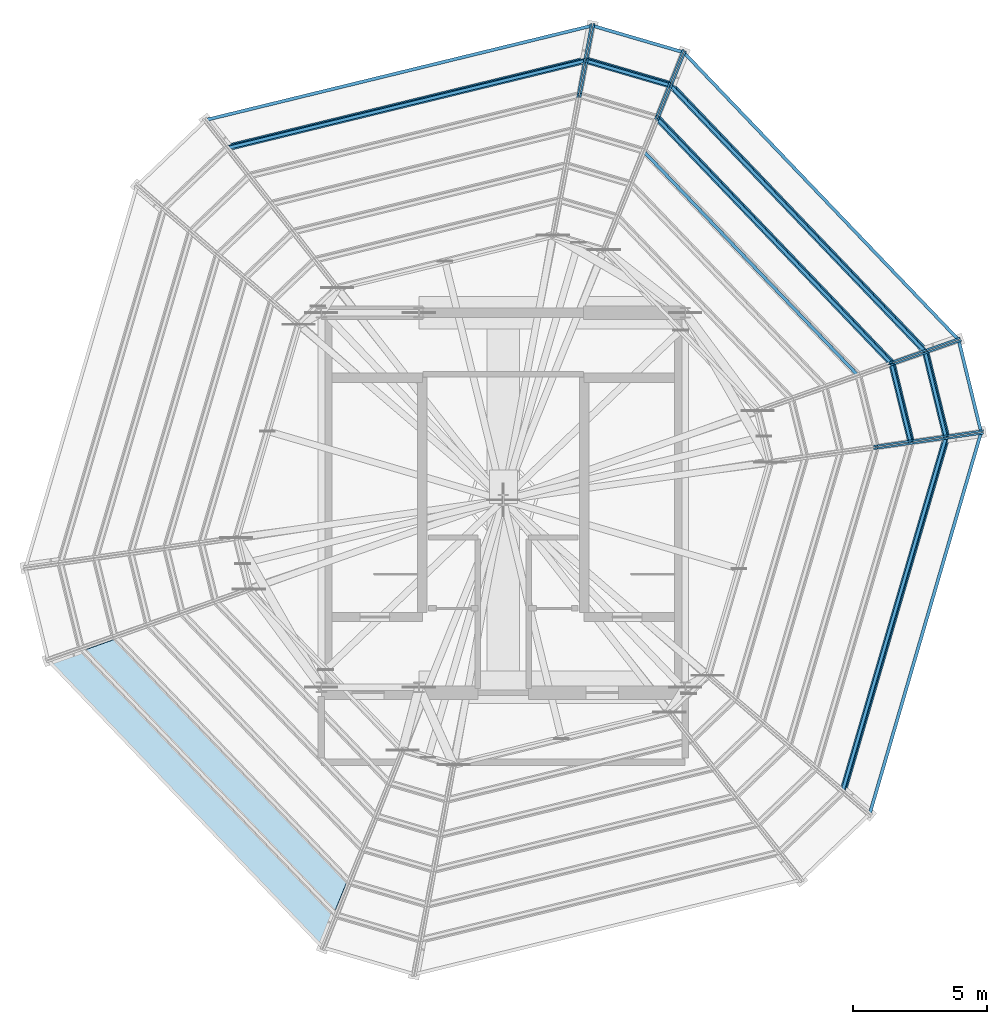
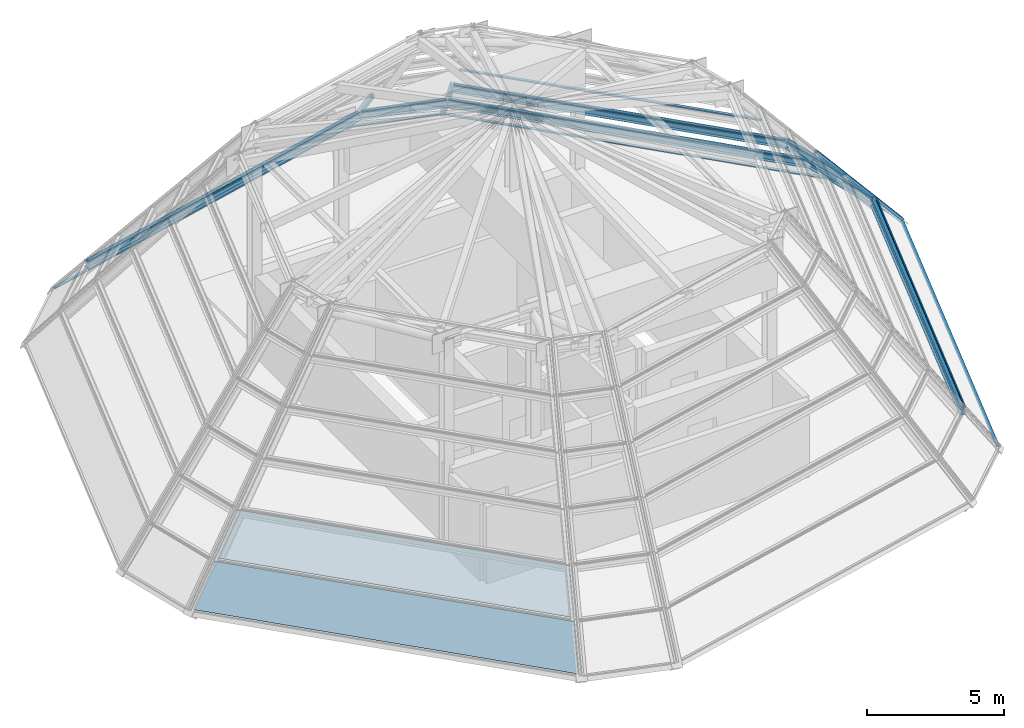
# One storey, part 9 of 13: 38 members, 7 beams, 2 plates, 16 elements without a shape of their own.
"""IFC4 building model written with IfcOpenShell, lengths in metres."""

from ifc_helpers import new_model, si_unit, direction, frame, origin, origin_2d, place, context, subcontext, project, spatial, polyline, hollow_rectangle, i_section, outline, extrude, source, transform, mapped, material, layer, layer_set, material_profile, profile_set, type_object, element, aggregate, save


model = new_model("IFC4")

# Units and contexts
model_context = context("Model", 3, precision=1e-05, world=origin(), true_north=direction((0.0, 1.0)))
body_context = subcontext(model_context, "Body", "Model", "MODEL_VIEW")
ifc_project = project(units=[si_unit("LENGTHUNIT", "METRE"), si_unit("AREAUNIT", "SQUARE_METRE"), si_unit("VOLUMEUNIT", "CUBIC_METRE"), si_unit("PLANEANGLEUNIT", "RADIAN"), si_unit("MASSUNIT", "GRAM", prefix="KILO")], contexts=[model_context])

# Site, building, storey
site_placement = place(None, origin())
site = spatial("IfcSite", under=ifc_project, at=site_placement, CompositionType="ELEMENT")
building_placement = place(site_placement, origin())
building = spatial("IfcBuilding", under=site, at=building_placement, Name="Veraguas Prism Commons", CompositionType="ELEMENT")
storey_placement = place(building_placement, frame((0.0, 0.0, 268.89990234375)))
storey = spatial("IfcBuildingStorey", under=building, at=storey_placement, Name="RF", CompositionType="ELEMENT", Elevation=268.89990234375)

# Beams
ifc_material_1 = material(Name="Steel ASTM A992 Grade 50", Category="steel")
ifc_material_profile_1 = material_profile(ifc_material_1, i_section(OverallWidth=0.25390625, OverallDepth=0.305908203125, WebThickness=0.0087890625, FlangeThickness=0.0146484375, at=origin_2d()), Name="W310X79")
ifc_profile_set_1 = profile_set([ifc_material_profile_1], Name="Steel ASTM A992 Grade 50")
beam_type = type_object("IfcBeamType", Name="Crown Ring Spandrel W310x79", PredefinedType="SPANDREL", material=ifc_profile_set_1)
beam_1_placement = place(storey_placement, frame((40.563720703125, 26.345458984375, 1.430419921875), z_axis=(-0.237187799652, 0.971463816977, 0.0), x_axis=(-0.971463816977, -0.237187799652, 0.0)))
element("IfcBeam", 1, at=beam_1_placement, inside=storey, type_object=beam_type, Name="Crown Facet Ring Beam T1-V01", PredefinedType="SPANDREL", context=body_context, shape_type="SweptSolid", body=[
    extrude(i_section(OverallWidth=0.25390625, OverallDepth=0.305908203125, WebThickness=0.0087890625, FlangeThickness=0.0146484375, at=origin_2d()), origin(), (0.0, 0.0, 1.0), 3.300048828125),
])
beam_2_placement = place(storey_placement, frame((39.24609375, 26.158935546875, 3.013916015625), z_axis=(-0.237198573642, 0.97146118639, 0.0), x_axis=(-0.97146118639, -0.237198573642, 0.0)))
element("IfcBeam", 2, at=beam_2_placement, inside=storey, type_object=beam_type, Name="Crown Facet Ring Beam T2-V01", PredefinedType="SPANDREL", context=body_context, shape_type="SweptSolid", body=[
    extrude(i_section(OverallWidth=0.25390625, OverallDepth=0.305908203125, WebThickness=0.0087890625, FlangeThickness=0.0146484375, at=origin_2d()), origin(), (0.0, 0.0, 1.0), 3.037353515625),
])
beam_3_placement = place(storey_placement, frame((39.781005859375, 29.55126953125, 1.430419921875), z_axis=(-0.691137823002, 0.722722982626, 0.0), x_axis=(-0.722722982626, -0.691137823002, 0.0)))
element("IfcBeam", 3, at=beam_3_placement, inside=storey, type_object=beam_type, Name="Crown Facet Ring Beam T1-V02", PredefinedType="SPANDREL", context=body_context, shape_type="SweptSolid", body=[
    extrude(i_section(OverallWidth=0.25390625, OverallDepth=0.305908203125, WebThickness=0.0087890625, FlangeThickness=0.0146484375, at=origin_2d()), origin(), (0.0, 0.0, 1.0), 13.78955078125),
])
beam_4_placement = place(storey_placement, frame((38.525634765625, 29.109619140625, 3.013916015625), z_axis=(-0.69112874426, 0.722731664491, 0.0), x_axis=(-0.722731664491, -0.69112874426, 0.0)))
element("IfcBeam", 4, at=beam_4_placement, inside=storey, type_object=beam_type, Name="Crown Facet Ring Beam T2-V02", PredefinedType="SPANDREL", context=body_context, shape_type="SweptSolid", body=[
    extrude(i_section(OverallWidth=0.25390625, OverallDepth=0.305908203125, WebThickness=0.0087890625, FlangeThickness=0.0146484375, at=origin_2d()), origin(), (0.0, 0.0, 1.0), 12.692626953125),
])
beam_5_placement = place(storey_placement, frame((30.25048828125, 39.517333984375, 1.430419921875), z_axis=(-0.959902160771, 0.280335231013, 0.0), x_axis=(-0.280335231013, -0.959902160771, 0.0)))
element("IfcBeam", 5, at=beam_5_placement, inside=storey, type_object=beam_type, Name="Crown Facet Ring Beam T1-V03", PredefinedType="SPANDREL", context=body_context, shape_type="SweptSolid", body=[
    extrude(i_section(OverallWidth=0.25390625, OverallDepth=0.305908203125, WebThickness=0.0087890625, FlangeThickness=0.0146484375, at=origin_2d()), origin(), (0.0, 0.0, 1.0), 3.2998046875),
])
for number, where, z_axis, x_axis, name in (
    (6, (27.0830078125, 40.4423828125, 1.430419921875), (-0.971467030569, -0.23717463717, 0.0), (0.23717463717, -0.971467030569, 0.0), "Crown Facet Ring Beam T1-V04"),
    (7, (36.697998046875, 13.10888671875, 1.430419921875), (0.28033787531, 0.959901388512, 0.0), (-0.959901388512, 0.28033787531, 0.0), "Crown Facet Ring Beam T1-V12"),
):
    element("IfcBeam", number, at=place(storey_placement, frame(where, z_axis=z_axis, x_axis=x_axis)), inside=storey, type_object=beam_type, Name=name, PredefinedType="SPANDREL", context=body_context, shape_type="SweptSolid", body=[
        extrude(i_section(OverallWidth=0.25390625, OverallDepth=0.305908203125, WebThickness=0.0087890625, FlangeThickness=0.0146484375, at=origin_2d()), origin(), (0.0, 0.0, 1.0), 13.78955078125),
    ])

# Curtain wall, members
ifc_material_2 = material(Name="Anodised aluminium EN AW-6063 T6", Category="aluminium")
ifc_layer_1 = layer(ifc_material_2, 0.199951171875, Name="Faceted Glass Point Crown Curtain Wall", Category="aluminium")
ifc_layer_set_1 = layer_set([ifc_layer_1], Name="Anodised aluminium EN AW-6063 T6")
curtain_wall_type = type_object("IfcCurtainWallType", Name="Faceted Glass Point Crown Curtain Wall", PredefinedType="NOTDEFINED", material=ifc_layer_set_1)
curtain_wall_1_placement = place(storey_placement, origin())
curtain_wall_1 = element("IfcCurtainWall", 8, at=curtain_wall_1_placement, inside=storey, type_object=curtain_wall_type, Name="Crown Glass-Point Facet T1-F01", PredefinedType="NOTDEFINED")
ifc_material_profile_2 = material_profile(ifc_material_2, hollow_rectangle(XDim=0.06494140625, YDim=0.199951171875, WallThickness=0.00390625, at=origin_2d()), Name="AL65X200X4")
ifc_profile_set_2 = profile_set([ifc_material_profile_2], Name="Anodised aluminium EN AW-6063 T6")
member_type_1 = type_object("IfcMemberType", Name="Curtain Wall Mullion Heavy AL 65x200x4", PredefinedType="MULLION", material=ifc_profile_set_2)
shared_shape_1 = source(origin(), body_context, "Body", "SweptSolid", [
    extrude(hollow_rectangle(XDim=0.06494140625, YDim=0.199951171875, WallThickness=0.00390625, at=origin_2d()), origin(), (0.0, 0.0, 1.0), 2.068359375),
])
member_1_placement = place(storey_placement, frame((41.868896484375, 26.5830078125, 0.0), z_axis=(-0.637018728137, -0.090176451417, 0.765555581008), x_axis=(0.140162712882, -0.99012848354, 0.0)))
member_1 = element("IfcMember", 9, at=member_1_placement, type_object=member_type_1, Name="CW-CRN Mullion 1", PredefinedType="MULLION", context=body_context, shape_type="MappedRepresentation", body=[
    mapped(shared_shape_1, transform((0.0, 0.0, 0.0), scale=1.0)),
])
member_2_placement = place(storey_placement, frame((41.048828125, 29.94189453125, 0.0), z_axis=(-0.606914901994, -0.213517903094, 0.765548435304), x_axis=(0.331869934634, -0.943325154168, 0.0)))
member_2 = element("IfcMember", 10, at=member_2_placement, type_object=member_type_1, Name="CW-CRN Mullion 2", PredefinedType="MULLION", context=body_context, shape_type="MappedRepresentation", body=[
    mapped(shared_shape_1, transform((0.0, 0.0, 0.0), scale=1.0)),
])

curtain_wall_2_placement = place(storey_placement, origin())
curtain_wall_2 = element("IfcCurtainWall", 11, at=curtain_wall_2_placement, inside=storey, type_object=curtain_wall_type, Name="Crown Glass-Point Facet T1-F02", PredefinedType="NOTDEFINED")
member_3_placement = place(storey_placement, frame((41.0, 30.031005859375, 0.0), z_axis=(-0.606914901994, -0.213517903094, 0.765548435304), x_axis=(0.331869934634, -0.943325154168, 0.0)))
member_3 = element("IfcMember", 12, at=member_3_placement, type_object=member_type_1, Name="CW-CRN Mullion 1", PredefinedType="MULLION", context=body_context, shape_type="MappedRepresentation", body=[
    mapped(shared_shape_1, transform((0.0, 0.0, 0.0), scale=1.0)),
])
member_4_placement = place(storey_placement, frame((30.7841796875, 40.713623046875, 0.0), z_axis=(-0.240429183387, -0.596764826316, 0.765549181861), x_axis=(0.927550217009, -0.37369853482, 0.0)))
member_4 = element("IfcMember", 13, at=member_4_placement, type_object=member_type_1, Name="CW-CRN Mullion 2", PredefinedType="MULLION", context=body_context, shape_type="MappedRepresentation", body=[
    mapped(shared_shape_1, transform((0.0, 0.0, 0.0), scale=1.0)),
])

curtain_wall_3_placement = place(storey_placement, origin())
curtain_wall_3 = element("IfcCurtainWall", 14, at=curtain_wall_3_placement, inside=storey, type_object=curtain_wall_type, Name="Crown Glass-Point Facet T1-F03", PredefinedType="NOTDEFINED")
member_5_placement = place(storey_placement, frame((30.697509765625, 40.766357421875, 0.0), z_axis=(-0.240429183387, -0.596764826316, 0.765549181861), x_axis=(0.927550217009, -0.37369853482, 0.0)))
member_5 = element("IfcMember", 15, at=member_5_placement, type_object=member_type_1, Name="CW-CRN Mullion 1", PredefinedType="MULLION", context=body_context, shape_type="MappedRepresentation", body=[
    mapped(shared_shape_1, transform((0.0, 0.0, 0.0), scale=1.0)),
])
member_6_placement = place(storey_placement, frame((27.378662109375, 41.735595703125, 0.0), z_axis=(-0.11862533016, -0.632314322055, 0.765576011359), x_axis=(0.982853488619, -0.184388231484, 0.0)))
member_6 = element("IfcMember", 16, at=member_6_placement, type_object=member_type_1, Name="CW-CRN Mullion 2", PredefinedType="MULLION", context=body_context, shape_type="MappedRepresentation", body=[
    mapped(shared_shape_1, transform((0.0, 0.0, 0.0), scale=1.0)),
])

# Curtain wall, member
curtain_wall_4_placement = place(storey_placement, origin())
curtain_wall_4 = element("IfcCurtainWall", 17, at=curtain_wall_4_placement, inside=storey, type_object=curtain_wall_type, Name="Crown Glass-Point Facet T1-F04", PredefinedType="NOTDEFINED")
member_7_placement = place(storey_placement, frame((27.27734375, 41.73779296875, 0.0), z_axis=(-0.11862533016, -0.632314322055, 0.765576011359), x_axis=(0.982853488619, -0.184388231484, 0.0)))
member_7 = element("IfcMember", 18, at=member_7_placement, type_object=member_type_1, Name="CW-CRN Mullion 1", PredefinedType="MULLION", context=body_context, shape_type="MappedRepresentation", body=[
    mapped(shared_shape_1, transform((0.0, 0.0, 0.0), scale=1.0)),
])

curtain_wall_5_placement = place(storey_placement, origin())
curtain_wall_5 = element("IfcCurtainWall", 19, at=curtain_wall_5_placement, inside=storey, type_object=curtain_wall_type, Name="Crown Glass-Point Facet T1-F12", PredefinedType="NOTDEFINED")
member_8_placement = place(storey_placement, frame((41.86669921875, 26.481689453125, 0.0), z_axis=(-0.637018728137, -0.090176451417, 0.765555581008), x_axis=(0.140162712882, -0.99012848354, 0.0)))
member_8 = element("IfcMember", 20, at=member_8_placement, type_object=member_type_1, Name="CW-CRN Mullion 2", PredefinedType="MULLION", context=body_context, shape_type="MappedRepresentation", body=[
    mapped(shared_shape_1, transform((0.0, 0.0, 0.0), scale=1.0)),
])

curtain_wall_6_placement = place(storey_placement, origin())
curtain_wall_6 = element("IfcCurtainWall", 21, at=curtain_wall_6_placement, inside=storey, type_object=curtain_wall_type, Name="Crown Glass-Point Facet T2-F01", PredefinedType="NOTDEFINED")
member_9_placement = place(storey_placement, frame((40.55126953125, 26.396484375, 1.58349609375), z_axis=(-0.637076292552, -0.090184600243, 0.765506718029), x_axis=(0.140162712882, -0.99012848354, 0.0)))
member_9 = element("IfcMember", 22, at=member_9_placement, type_object=member_type_1, Name="CW-CRN Mullion 1", PredefinedType="MULLION", context=body_context, shape_type="MappedRepresentation", body=[
    mapped(shared_shape_1, transform((0.0, 0.0, 0.0), scale=1.0)),
])

curtain_wall_7_placement = place(storey_placement, origin())
curtain_wall_7 = element("IfcCurtainWall", 23, at=curtain_wall_7_placement, inside=storey, type_object=curtain_wall_type, Name="Crown Glass-Point Facet T2-F12", PredefinedType="NOTDEFINED")
member_10_placement = place(storey_placement, frame((40.549072265625, 26.295166015625, 1.58349609375), z_axis=(-0.637069506143, -0.090301680971, 0.765498563524), x_axis=(0.14034256083, -0.99010300758, 0.0)))
member_10 = element("IfcMember", 24, at=member_10_placement, type_object=member_type_1, Name="CW-CRN Mullion 2", PredefinedType="MULLION", context=body_context, shape_type="MappedRepresentation", body=[
    mapped(shared_shape_1, transform((0.0, 0.0, 0.0), scale=1.0)),
])

curtain_wall_8_placement = place(storey_placement, origin())
curtain_wall_8 = element("IfcCurtainWall", 25, at=curtain_wall_8_placement, inside=storey, type_object=curtain_wall_type, Name="Crown Glass-Point Facet T3-F12", PredefinedType="NOTDEFINED")
member_11_placement = place(storey_placement, frame((39.2314453125, 26.1083984375, 3.166748046875), z_axis=(-0.637076292552, -0.090184600243, 0.765506718029), x_axis=(0.140162712882, -0.99012848354, 0.0)))
member_11 = element("IfcMember", 26, at=member_11_placement, type_object=member_type_1, Name="CW-CRN Mullion 2", PredefinedType="MULLION", context=body_context, shape_type="MappedRepresentation", body=[
    mapped(shared_shape_1, transform((0.0, 0.0, 0.0), scale=1.0)),
])
aggregate(curtain_wall_8, [member_11])

# Member
ifc_material_profile_3 = material_profile(ifc_material_2, hollow_rectangle(XDim=0.050048828125, YDim=0.1201171875, WallThickness=0.0029296875, at=origin_2d()), Name="AL50X120X3")
ifc_profile_set_3 = profile_set([ifc_material_profile_3], Name="Anodised aluminium EN AW-6063 T6")
member_type_2 = type_object("IfcMemberType", Name="Curtain Wall Transom Crown AL 50x120x3", PredefinedType="USERDEFINED", material=ifc_profile_set_3)
shared_shape_2 = source(origin(), body_context, "Body", "SweptSolid", [
    extrude(hollow_rectangle(XDim=0.050048828125, YDim=0.1201171875, WallThickness=0.0029296875, at=origin_2d()), origin(), (0.0, 0.0, 1.0), 3.45361328125),
])
member_12_placement = place(storey_placement, frame((41.84814453125, 26.580078125, 0.025146484375), z_axis=(-0.237242589873, 0.971450438031, 0.0), x_axis=(0.0, 0.0, 1.0)))
member_12 = element("IfcMember", 27, at=member_12_placement, type_object=member_type_2, Name="CW-CRN Transom 1", ObjectType="TRANSOM", PredefinedType="USERDEFINED", context=body_context, shape_type="MappedRepresentation", body=[
    mapped(shared_shape_2, transform((0.0, 0.0, 0.0), scale=1.0)),
])

shared_shape_3 = source(origin(), body_context, "Body", "SweptSolid", [
    extrude(hollow_rectangle(XDim=0.050048828125, YDim=0.1201171875, WallThickness=0.0029296875, at=origin_2d()), origin(), (0.0, 0.0, 1.0), 3.19921875),
])
member_13_placement = place(storey_placement, frame((40.572021484375, 26.3994140625, 1.558349609375), z_axis=(-0.237181042472, 0.971465466752, 0.0), x_axis=(0.0, 0.0, 1.0)))
member_13 = element("IfcMember", 28, at=member_13_placement, type_object=member_type_2, Name="CW-CRN Transom 2", ObjectType="TRANSOM", PredefinedType="USERDEFINED", context=body_context, shape_type="MappedRepresentation", body=[
    mapped(shared_shape_3, transform((0.0, 0.0, 0.0), scale=1.0)),
])

aggregate(curtain_wall_1, [member_1, member_2, member_12, member_13])

shared_shape_4 = source(origin(), body_context, "Body", "SweptSolid", [
    extrude(hollow_rectangle(XDim=0.050048828125, YDim=0.1201171875, WallThickness=0.0029296875, at=origin_2d()), origin(), (0.0, 0.0, 1.0), 14.76416015625),
])
member_14_placement = place(storey_placement, frame((40.980224609375, 30.02392578125, 0.025146484375), z_axis=(-0.691138541131, 0.722722295881, 0.0), x_axis=(0.0, 0.0, 1.0)))
member_14 = element("IfcMember", 29, at=member_14_placement, type_object=member_type_2, Name="CW-CRN Transom 1", ObjectType="TRANSOM", PredefinedType="USERDEFINED", context=body_context, shape_type="MappedRepresentation", body=[
    mapped(shared_shape_4, transform((0.0, 0.0, 0.0), scale=1.0)),
])

member_15_placement = place(storey_placement, frame((37.706787109375, 12.306640625, 0.025146484375), z_axis=(0.280335889845, 0.959901968362, 0.0), x_axis=(0.0, 0.0, 1.0)))
member_15 = element("IfcMember", 30, at=member_15_placement, type_object=member_type_2, Name="CW-CRN Transom 1", ObjectType="TRANSOM", PredefinedType="USERDEFINED", context=body_context, shape_type="MappedRepresentation", body=[
    mapped(shared_shape_4, transform((0.0, 0.0, 0.0), scale=1.0)),
])

shared_shape_5 = source(origin(), body_context, "Body", "SweptSolid", [
    extrude(hollow_rectangle(XDim=0.050048828125, YDim=0.1201171875, WallThickness=0.0029296875, at=origin_2d()), origin(), (0.0, 0.0, 1.0), 13.701904296875),
])
member_16_placement = place(storey_placement, frame((39.7646484375, 29.59619140625, 1.558349609375), z_axis=(-0.691143753511, 0.722717311252, 0.0), x_axis=(0.0, 0.0, 1.0)))
member_16 = element("IfcMember", 31, at=member_16_placement, type_object=member_type_2, Name="CW-CRN Transom 2", ObjectType="TRANSOM", PredefinedType="USERDEFINED", context=body_context, shape_type="MappedRepresentation", body=[
    mapped(shared_shape_5, transform((0.0, 0.0, 0.0), scale=1.0)),
])

aggregate(curtain_wall_2, [member_3, member_4, member_14, member_16])

member_17_placement = place(storey_placement, frame((27.035888671875, 40.45068359375, 1.558349609375), z_axis=(-0.971467190834, -0.237173980727, 0.0), x_axis=(0.0, 0.0, 1.0)))
member_17 = element("IfcMember", 32, at=member_17_placement, type_object=member_type_2, Name="CW-CRN Transom 2", ObjectType="TRANSOM", PredefinedType="USERDEFINED", context=body_context, shape_type="MappedRepresentation", body=[
    mapped(shared_shape_5, transform((0.0, 0.0, 0.0), scale=1.0)),
])

member_18_placement = place(storey_placement, frame((36.728759765625, 13.1455078125, 1.558349609375), z_axis=(0.280329087365, 0.959903954975, 0.0), x_axis=(0.0, 0.0, 1.0)))
member_18 = element("IfcMember", 33, at=member_18_placement, type_object=member_type_2, Name="CW-CRN Transom 2", ObjectType="TRANSOM", PredefinedType="USERDEFINED", context=body_context, shape_type="MappedRepresentation", body=[
    mapped(shared_shape_5, transform((0.0, 0.0, 0.0), scale=1.0)),
])

aggregate(curtain_wall_5, [member_8, member_15, member_18])

shared_shape_6 = source(origin(), body_context, "Body", "SweptSolid", [
    extrude(hollow_rectangle(XDim=0.050048828125, YDim=0.1201171875, WallThickness=0.0029296875, at=origin_2d()), origin(), (0.0, 0.0, 1.0), 3.453125),
])
member_19_placement = place(storey_placement, frame((30.689453125, 40.746826171875, 0.025146484375), z_axis=(-0.959904130133, 0.280328487588, 0.0), x_axis=(0.0, 0.0, 1.0)))
member_19 = element("IfcMember", 34, at=member_19_placement, type_object=member_type_2, Name="CW-CRN Transom 1", ObjectType="TRANSOM", PredefinedType="USERDEFINED", context=body_context, shape_type="MappedRepresentation", body=[
    mapped(shared_shape_6, transform((0.0, 0.0, 0.0), scale=1.0)),
])

shared_shape_7 = source(origin(), body_context, "Body", "SweptSolid", [
    extrude(hollow_rectangle(XDim=0.050048828125, YDim=0.1201171875, WallThickness=0.0029296875, at=origin_2d()), origin(), (0.0, 0.0, 1.0), 3.198974609375),
])
member_20_placement = place(storey_placement, frame((30.2080078125, 39.551513671875, 1.558349609375), z_axis=(-0.959909346754, 0.280310624155, 0.0), x_axis=(0.0, 0.0, 1.0)))
member_20 = element("IfcMember", 35, at=member_20_placement, type_object=member_type_2, Name="CW-CRN Transom 2", ObjectType="TRANSOM", PredefinedType="USERDEFINED", context=body_context, shape_type="MappedRepresentation", body=[
    mapped(shared_shape_7, transform((0.0, 0.0, 0.0), scale=1.0)),
])

aggregate(curtain_wall_3, [member_5, member_6, member_19, member_20])

shared_shape_8 = source(origin(), body_context, "Body", "SweptSolid", [
    extrude(hollow_rectangle(XDim=0.050048828125, YDim=0.1201171875, WallThickness=0.0029296875, at=origin_2d()), origin(), (0.0, 0.0, 1.0), 14.764404296875),
])
member_21_placement = place(storey_placement, frame((27.2734375, 41.71728515625, 0.025146484375), z_axis=(-0.971467113477, -0.237174297581, 0.0), x_axis=(0.0, 0.0, 1.0)))
member_21 = element("IfcMember", 36, at=member_21_placement, type_object=member_type_2, Name="CW-CRN Transom 1", ObjectType="TRANSOM", PredefinedType="USERDEFINED", context=body_context, shape_type="MappedRepresentation", body=[
    mapped(shared_shape_8, transform((0.0, 0.0, 0.0), scale=1.0)),
])

aggregate(curtain_wall_4, [member_7, member_21, member_17])

shared_shape_9 = source(origin(), body_context, "Body", "SweptSolid", [
    extrude(hollow_rectangle(XDim=0.06494140625, YDim=0.199951171875, WallThickness=0.00390625, at=origin_2d()), origin(), (0.0, 0.0, 1.0), 2.068115234375),
])
member_22_placement = place(storey_placement, frame((39.79345703125, 29.500244140625, 1.58349609375), z_axis=(-0.606985040832, -0.213424533999, 0.765518862271), x_axis=(0.331706670109, -0.943382576162, 0.0)))
member_22 = element("IfcMember", 37, at=member_22_placement, type_object=member_type_1, Name="CW-CRN Mullion 2", PredefinedType="MULLION", context=body_context, shape_type="MappedRepresentation", body=[
    mapped(shared_shape_9, transform((0.0, 0.0, 0.0), scale=1.0)),
])

# Curtain wall, members
curtain_wall_9_placement = place(storey_placement, origin())
curtain_wall_9 = element("IfcCurtainWall", 38, at=curtain_wall_9_placement, inside=storey, type_object=curtain_wall_type, Name="Crown Glass-Point Facet T2-F02", PredefinedType="NOTDEFINED")
member_23_placement = place(storey_placement, frame((39.74462890625, 29.58935546875, 1.58349609375), z_axis=(-0.606895183423, -0.213552496949, 0.765554418304), x_axis=(0.331927376585, -0.943304943628, 0.0)))
member_23 = element("IfcMember", 39, at=member_23_placement, type_object=member_type_1, Name="CW-CRN Mullion 1", PredefinedType="MULLION", context=body_context, shape_type="MappedRepresentation", body=[
    mapped(shared_shape_9, transform((0.0, 0.0, 0.0), scale=1.0)),
])
member_24_placement = place(storey_placement, frame((30.286865234375, 39.479248046875, 1.58349609375), z_axis=(-0.240467849248, -0.596742748134, 0.765554247606), x_axis=(0.927524590821, -0.373762134817, 0.0)))
member_24 = element("IfcMember", 40, at=member_24_placement, type_object=member_type_1, Name="CW-CRN Mullion 2", PredefinedType="MULLION", context=body_context, shape_type="MappedRepresentation", body=[
    mapped(shared_shape_9, transform((0.0, 0.0, 0.0), scale=1.0)),
])

curtain_wall_10_placement = place(storey_placement, origin())
curtain_wall_10 = element("IfcCurtainWall", 41, at=curtain_wall_10_placement, inside=storey, type_object=curtain_wall_type, Name="Crown Glass-Point Facet T2-F03", PredefinedType="NOTDEFINED")
member_25_placement = place(storey_placement, frame((30.2001953125, 39.531982421875, 1.58349609375), z_axis=(-0.240339687845, -0.596835688479, 0.765522041097), x_axis=(0.927613797991, -0.373540682894, 0.0)))
member_25 = element("IfcMember", 42, at=member_25_placement, type_object=member_type_1, Name="CW-CRN Mullion 1", PredefinedType="MULLION", context=body_context, shape_type="MappedRepresentation", body=[
    mapped(shared_shape_9, transform((0.0, 0.0, 0.0), scale=1.0)),
])
member_26_placement = place(storey_placement, frame((27.13330078125, 40.427734375, 1.58349609375), z_axis=(-0.118519663522, -0.632380316225, 0.765537866477), x_axis=(0.982886723569, -0.184210989446, 0.0)))
member_26 = element("IfcMember", 43, at=member_26_placement, type_object=member_type_1, Name="CW-CRN Mullion 2", PredefinedType="MULLION", context=body_context, shape_type="MappedRepresentation", body=[
    mapped(shared_shape_9, transform((0.0, 0.0, 0.0), scale=1.0)),
])

# Curtain wall, member
curtain_wall_11_placement = place(storey_placement, origin())
curtain_wall_11 = element("IfcCurtainWall", 44, at=curtain_wall_11_placement, inside=storey, type_object=curtain_wall_type, Name="Crown Glass-Point Facet T2-F04", PredefinedType="NOTDEFINED")
member_27_placement = place(storey_placement, frame((27.031982421875, 40.429931640625, 1.58349609375), z_axis=(-0.11863605035, -0.632371464405, 0.765527150768), x_axis=(0.982853488619, -0.184388231484, 0.0)))
member_27 = element("IfcMember", 45, at=member_27_placement, type_object=member_type_1, Name="CW-CRN Mullion 1", PredefinedType="MULLION", context=body_context, shape_type="MappedRepresentation", body=[
    mapped(shared_shape_9, transform((0.0, 0.0, 0.0), scale=1.0)),
])

curtain_wall_12_placement = place(storey_placement, origin())
curtain_wall_12 = element("IfcCurtainWall", 46, at=curtain_wall_12_placement, inside=storey, type_object=curtain_wall_type, Name="Crown Glass-Point Facet T3-F01", PredefinedType="NOTDEFINED")
member_28_placement = place(storey_placement, frame((39.233642578125, 26.2099609375, 3.166748046875), z_axis=(-0.636999364818, -0.090308471847, 0.765556130623), x_axis=(0.140368057052, -0.990099393273, 0.0)))
member_28 = element("IfcMember", 47, at=member_28_placement, type_object=member_type_1, Name="CW-CRN Mullion 1", PredefinedType="MULLION", context=body_context, shape_type="MappedRepresentation", body=[
    mapped(shared_shape_9, transform((0.0, 0.0, 0.0), scale=1.0)),
])

# Member
shared_shape_10 = source(origin(), body_context, "Body", "SweptSolid", [
    extrude(hollow_rectangle(XDim=0.050048828125, YDim=0.1201171875, WallThickness=0.0029296875, at=origin_2d()), origin(), (0.0, 0.0, 1.0), 3.19091796875),
])
member_29_placement = place(storey_placement, frame((40.530517578125, 26.3935546875, 1.6083984375), z_axis=(-0.237185149148, 0.971464464107, 0.0), x_axis=(0.0, 0.0, 1.0)))
member_29 = element("IfcMember", 48, at=member_29_placement, type_object=member_type_2, Name="CW-CRN Transom 1", ObjectType="TRANSOM", PredefinedType="USERDEFINED", context=body_context, shape_type="MappedRepresentation", body=[
    mapped(shared_shape_10, transform((0.0, 0.0, 0.0), scale=1.0)),
])

member_30_placement = place(storey_placement, frame((30.1923828125, 39.512451171875, 1.6083984375), z_axis=(-0.959902252812, 0.280334915854, 0.0), x_axis=(0.0, 0.0, 1.0)))
member_30 = element("IfcMember", 49, at=member_30_placement, type_object=member_type_2, Name="CW-CRN Transom 1", ObjectType="TRANSOM", PredefinedType="USERDEFINED", context=body_context, shape_type="MappedRepresentation", body=[
    mapped(shared_shape_10, transform((0.0, 0.0, 0.0), scale=1.0)),
])

aggregate(curtain_wall_10, [member_25, member_26, member_30])

shared_shape_11 = source(origin(), body_context, "Body", "SweptSolid", [
    extrude(hollow_rectangle(XDim=0.050048828125, YDim=0.1201171875, WallThickness=0.0029296875, at=origin_2d()), origin(), (0.0, 0.0, 1.0), 2.9365234375),
])
member_31_placement = place(storey_placement, frame((39.25439453125, 26.212890625, 3.141845703125), z_axis=(-0.237191581956, 0.971462893501, 0.0), x_axis=(0.0, 0.0, 1.0)))
member_31 = element("IfcMember", 50, at=member_31_placement, type_object=member_type_2, Name="CW-CRN Transom 2", ObjectType="TRANSOM", PredefinedType="USERDEFINED", context=body_context, shape_type="MappedRepresentation", body=[
    mapped(shared_shape_11, transform((0.0, 0.0, 0.0), scale=1.0)),
])

aggregate(curtain_wall_6, [member_9, member_22, member_29, member_31])

shared_shape_12 = source(origin(), body_context, "Body", "SweptSolid", [
    extrude(hollow_rectangle(XDim=0.050048828125, YDim=0.1201171875, WallThickness=0.0029296875, at=origin_2d()), origin(), (0.0, 0.0, 1.0), 13.6669921875),
])
member_32_placement = place(storey_placement, frame((39.724853515625, 29.582275390625, 1.6083984375), z_axis=(-0.691139090215, 0.722721770792, 0.0), x_axis=(0.0, 0.0, 1.0)))
member_32 = element("IfcMember", 51, at=member_32_placement, type_object=member_type_2, Name="CW-CRN Transom 1", ObjectType="TRANSOM", PredefinedType="USERDEFINED", context=body_context, shape_type="MappedRepresentation", body=[
    mapped(shared_shape_12, transform((0.0, 0.0, 0.0), scale=1.0)),
])

shared_shape_13 = source(origin(), body_context, "Body", "SweptSolid", [
    extrude(hollow_rectangle(XDim=0.050048828125, YDim=0.1201171875, WallThickness=0.0029296875, at=origin_2d()), origin(), (0.0, 0.0, 1.0), 12.60498046875),
])
member_33_placement = place(storey_placement, frame((38.50927734375, 29.154541015625, 3.141845703125), z_axis=(-0.691135127798, 0.722725560032, 0.0), x_axis=(0.0, 0.0, 1.0)))
member_33 = element("IfcMember", 52, at=member_33_placement, type_object=member_type_2, Name="CW-CRN Transom 2", ObjectType="TRANSOM", PredefinedType="USERDEFINED", context=body_context, shape_type="MappedRepresentation", body=[
    mapped(shared_shape_13, transform((0.0, 0.0, 0.0), scale=1.0)),
])

aggregate(curtain_wall_9, [member_23, member_24, member_32, member_33])

shared_shape_14 = source(origin(), body_context, "Body", "SweptSolid", [
    extrude(hollow_rectangle(XDim=0.050048828125, YDim=0.1201171875, WallThickness=0.0029296875, at=origin_2d()), origin(), (0.0, 0.0, 1.0), 13.667236328125),
])
member_34_placement = place(storey_placement, frame((27.028076171875, 40.409423828125, 1.6083984375), z_axis=(-0.971464345462, -0.237185635096, 0.0), x_axis=(0.0, 0.0, 1.0)))
member_34 = element("IfcMember", 53, at=member_34_placement, type_object=member_type_2, Name="CW-CRN Transom 1", ObjectType="TRANSOM", PredefinedType="USERDEFINED", context=body_context, shape_type="MappedRepresentation", body=[
    mapped(shared_shape_14, transform((0.0, 0.0, 0.0), scale=1.0)),
])

aggregate(curtain_wall_11, [member_27, member_34])

member_35_placement = place(storey_placement, frame((36.69677734375, 13.173095703125, 1.6083984375), z_axis=(0.280329240433, 0.959903910273, 0.0), x_axis=(0.0, 0.0, 1.0)))
member_35 = element("IfcMember", 54, at=member_35_placement, type_object=member_type_2, Name="CW-CRN Transom 1", ObjectType="TRANSOM", PredefinedType="USERDEFINED", context=body_context, shape_type="MappedRepresentation", body=[
    mapped(shared_shape_14, transform((0.0, 0.0, 0.0), scale=1.0)),
])

aggregate(curtain_wall_7, [member_10, member_35])

shared_shape_15 = source(origin(), body_context, "Body", "SweptSolid", [
    extrude(hollow_rectangle(XDim=0.050048828125, YDim=0.1201171875, WallThickness=0.0029296875, at=origin_2d()), origin(), (0.0, 0.0, 1.0), 2.92822265625),
])
member_36_placement = place(storey_placement, frame((39.212890625, 26.20703125, 3.19189453125), z_axis=(-0.237196086749, 0.971461793603, 0.0), x_axis=(0.0, 0.0, 1.0)))
member_36 = element("IfcMember", 55, at=member_36_placement, type_object=member_type_2, Name="CW-CRN Transom 1", ObjectType="TRANSOM", PredefinedType="USERDEFINED", context=body_context, shape_type="MappedRepresentation", body=[
    mapped(shared_shape_15, transform((0.0, 0.0, 0.0), scale=1.0)),
])

aggregate(curtain_wall_12, [member_28, member_36])

# Curtain wall, member
curtain_wall_13_placement = place(storey_placement, origin())
curtain_wall_13 = element("IfcCurtainWall", 56, at=curtain_wall_13_placement, inside=storey, type_object=curtain_wall_type, Name="Crown Glass-Point Facet T3-F02", PredefinedType="NOTDEFINED")
shared_shape_16 = source(origin(), body_context, "Body", "SweptSolid", [
    extrude(hollow_rectangle(XDim=0.050048828125, YDim=0.1201171875, WallThickness=0.0029296875, at=origin_2d()), origin(), (0.0, 0.0, 1.0), 12.570556640625),
])
member_37_placement = place(storey_placement, frame((38.4697265625, 29.140625, 3.19189453125), z_axis=(-0.691140621739, 0.722720306192, 0.0), x_axis=(0.0, 0.0, 1.0)))
member_37 = element("IfcMember", 57, at=member_37_placement, type_object=member_type_2, Name="CW-CRN Transom 1", ObjectType="TRANSOM", PredefinedType="USERDEFINED", context=body_context, shape_type="MappedRepresentation", body=[
    mapped(shared_shape_16, transform((0.0, 0.0, 0.0), scale=1.0)),
])
aggregate(curtain_wall_13, [member_37])

curtain_wall_14_placement = place(storey_placement, origin())
curtain_wall_14 = element("IfcCurtainWall", 58, at=curtain_wall_14_placement, inside=storey, type_object=curtain_wall_type, Name="Crown Glass-Point Facet T4-F02", PredefinedType="NOTDEFINED")
shared_shape_17 = source(origin(), body_context, "Body", "SweptSolid", [
    extrude(hollow_rectangle(XDim=0.050048828125, YDim=0.1201171875, WallThickness=0.0029296875, at=origin_2d()), origin(), (0.0, 0.0, 1.0), 11.473388671875),
])
member_38_placement = place(storey_placement, frame((37.21435546875, 28.69921875, 4.775146484375), z_axis=(-0.691141474773, 0.722719490431, 0.0), x_axis=(0.0, 0.0, 1.0)))
member_38 = element("IfcMember", 59, at=member_38_placement, type_object=member_type_2, Name="CW-CRN Transom 1", ObjectType="TRANSOM", PredefinedType="USERDEFINED", context=body_context, shape_type="MappedRepresentation", body=[
    mapped(shared_shape_17, transform((0.0, 0.0, 0.0), scale=1.0)),
])
aggregate(curtain_wall_14, [member_38])

# Curtain wall, plate
curtain_wall_15_placement = place(storey_placement, origin())
curtain_wall_15 = element("IfcCurtainWall", 60, at=curtain_wall_15_placement, inside=storey, type_object=curtain_wall_type, Name="Crown Glass-Point Facet T1-F08", PredefinedType="NOTDEFINED")
ifc_material_3 = material(Name="Laminated low-e glass", Category="glass")
ifc_layer_2 = layer(ifc_material_3, 0.035888671875, Name="Faceted Crown Laminated Glazed Panel 36", Category="glass")
ifc_layer_set_2 = layer_set([ifc_layer_2], Name="Laminated low-e glass")
plate_type = type_object("IfcPlateType", Name="Faceted Crown Laminated Glazed Panel 36", PredefinedType="CURTAIN_PANEL", material=ifc_layer_set_2)
plate_1_placement = place(storey_placement, frame((7.0791015625, 17.941650390625, 0.050048828125), z_axis=(-0.573830750872, -0.548764039567, 0.607927872557), x_axis=(0.691145761344, -0.722715391129, 7.79206e-07)))
plate_1 = element("IfcPlate", 61, at=plate_1_placement, type_object=plate_type, Name="CW-CRN Panel 1.1", PredefinedType="CURTAIN_PANEL", context=body_context, shape_type="SweptSolid", body=[
    extrude(outline(polyline([(0.0, 0.0), (14.63232421875, 0.0), (14.12451171875, 1.8681640625), (0.507568359375, 1.868408203125), (0.0, 0.0)])), origin(), (0.0, 0.0, -1.0), 0.035888671875),
])
aggregate(curtain_wall_15, [plate_1])

curtain_wall_16_placement = place(storey_placement, origin())
curtain_wall_16 = element("IfcCurtainWall", 62, at=curtain_wall_16_placement, inside=storey, type_object=curtain_wall_type, Name="Crown Glass-Point Facet T2-F08", PredefinedType="NOTDEFINED")
plate_2_placement = place(storey_placement, frame((8.33447265625, 18.38330078125, 1.63330078125), z_axis=(-0.573816473129, -0.548745990787, 0.607957640598), x_axis=(0.691141052036, -0.722719894692, -2.50636e-06)))
plate_2 = element("IfcPlate", 63, at=plate_2_placement, type_object=plate_type, Name="CW-CRN Panel 1.1", PredefinedType="CURTAIN_PANEL", context=body_context, shape_type="SweptSolid", body=[
    extrude(outline(polyline([(0.0, 0.0), (13.53515625, 0.0), (13.028076171875, 1.868408203125), (0.507080078125, 1.868408203125), (0.0, 0.0)])), origin(), (0.0, 0.0, -1.0), 0.035888671875),
])
aggregate(curtain_wall_16, [plate_2])

save(model, "model.ifc")
